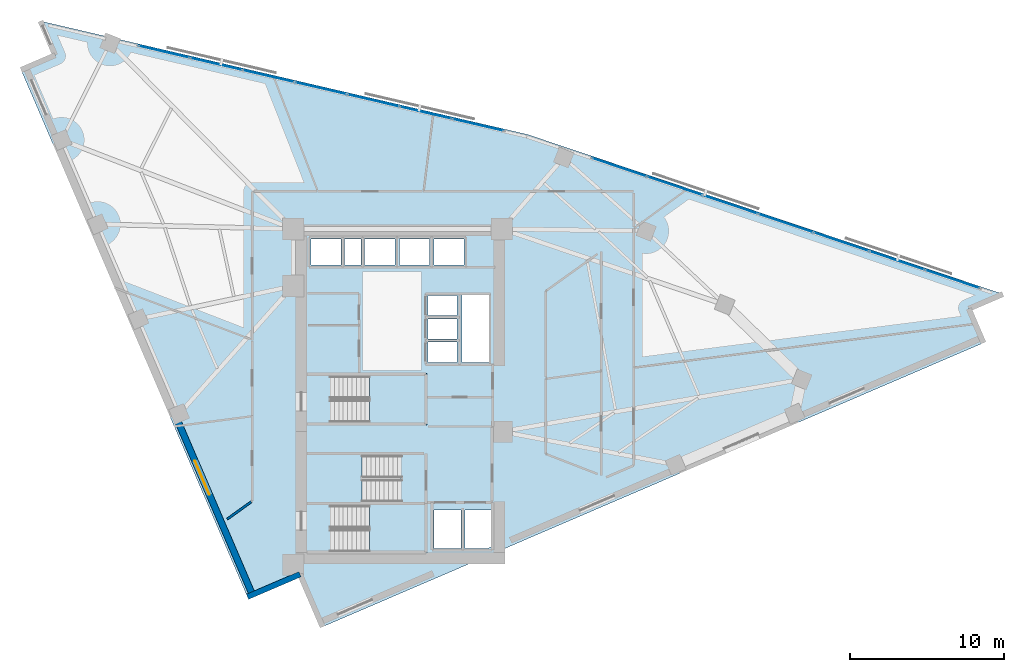
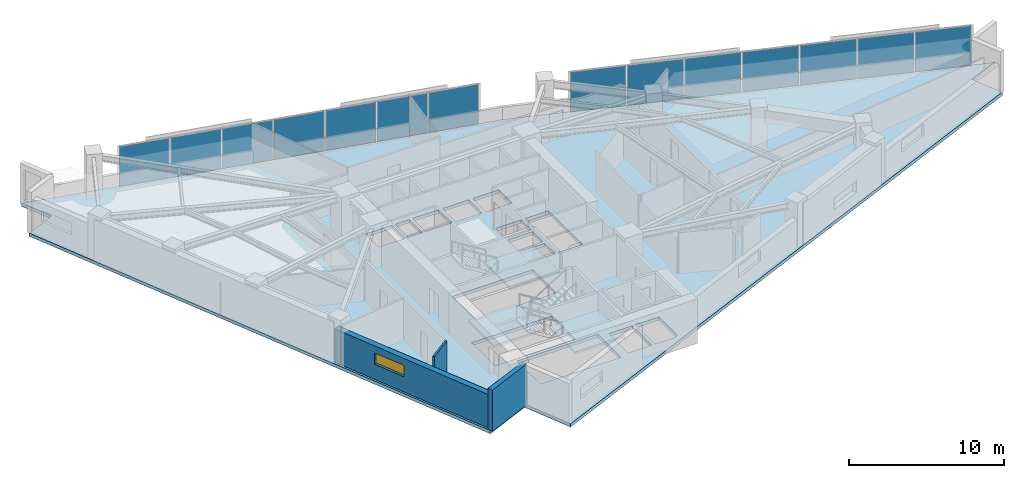
# One storey, part 8 of 14: 14 plates, 4 slabs, 3 walls, 1 window, 1 opening, 5 elements without a shape of their own.
"""IFC4 building model written with IfcOpenShell, lengths in metres."""

from ifc_helpers import new_model, si_unit, direction, frame, frame_2d, origin, origin_2d, place, context, subcontext, project, spatial, polyline, rectangle, outline, extrude, material, layer, layer_set, type_object, element, fill, aggregate, save


model = new_model("IFC4")

# Units and contexts
model_context = context("Model", 3, precision=1e-05, world=origin(), true_north=direction((0.0, 1.0)))
body_context = subcontext(model_context, "Body", "Model", "MODEL_VIEW")
ifc_project = project(units=[si_unit("LENGTHUNIT", "METRE"), si_unit("AREAUNIT", "SQUARE_METRE"), si_unit("VOLUMEUNIT", "CUBIC_METRE"), si_unit("PLANEANGLEUNIT", "RADIAN"), si_unit("MASSUNIT", "GRAM", prefix="KILO")], contexts=[model_context])

# Site, building, storey
site_placement = place(None, origin())
site = spatial("IfcSite", under=ifc_project, at=site_placement, CompositionType="ELEMENT")
building_placement = place(site_placement, origin())
building = spatial("IfcBuilding", under=site, at=building_placement, Name="Narakoshi Arena Tower", CompositionType="ELEMENT")
storey_placement = place(building_placement, frame((0.0, 0.0, 189.659912109375)))
storey = spatial("IfcBuildingStorey", under=building, at=storey_placement, Name="L51", CompositionType="ELEMENT", Elevation=189.659912109375)

# Curtain wall, plates
ifc_material_1 = material(Name="Anodised bronze aluminium 6063-T6", Category="aluminium")
curtain_wall_type = type_object("IfcCurtainWallType", Name="CW-HYP-MID", PredefinedType="NOTDEFINED", material=ifc_material_1)
curtain_wall_1_placement = place(storey_placement, origin())
curtain_wall_1 = element("IfcCurtainWall", 1, at=curtain_wall_1_placement, inside=storey, type_object=curtain_wall_type, Name="L51 Folded Hypotenuse Curtain Wall 1-1", PredefinedType="NOTDEFINED")
ifc_material_2 = material(Name="Bronze-tinted low-E laminated glass", Category="glass")
ifc_layer_1 = layer(ifc_material_2, 0.0380859375)
ifc_layer_set_1 = layer_set([ifc_layer_1], Name="Bronze-tinted low-E laminated glass")
plate_type = type_object("IfcPlateType", Name="PLT-GLZ-38", PredefinedType="CURTAIN_PANEL", material=ifc_layer_set_1)
plate_1_placement = place(storey_placement, frame((114.78466796875, 53.2509765625, 0.065185546875), z_axis=(0.0, 0.0, 1.0), x_axis=(-0.948003144077, 0.318260960253, 0.0)))
plate_1 = element("IfcPlate", 2, at=plate_1_placement, type_object=plate_type, Name="CW-02 panel 1.1", PredefinedType="CURTAIN_PANEL", context=body_context, shape_type="SweptSolid", body=[
    extrude(rectangle(XDim=3.69287109375, YDim=0.0380859375, at=origin_2d()), origin(), (0.0, 0.0, 1.0), 3.1298828125),
])
plate_2_placement = place(storey_placement, frame((111.19482421875, 54.4560546875, 0.065185546875), z_axis=(0.0, 0.0, 1.0), x_axis=(-0.948003144077, 0.318260960253, 0.0)))
plate_2 = element("IfcPlate", 3, at=plate_2_placement, type_object=plate_type, Name="CW-02 panel 2.1", PredefinedType="CURTAIN_PANEL", context=body_context, shape_type="SweptSolid", body=[
    extrude(rectangle(XDim=3.73046875, YDim=0.0380859375, at=origin_2d()), origin(), (0.0, 0.0, 1.0), 3.1298828125),
])
plate_3_placement = place(storey_placement, frame((107.58740234375, 55.667236328125, 0.065185546875), z_axis=(0.0, 0.0, 1.0), x_axis=(-0.948003144077, 0.318260960253, 0.0)))
plate_3 = element("IfcPlate", 4, at=plate_3_placement, type_object=plate_type, Name="CW-02 panel 3.1", PredefinedType="CURTAIN_PANEL", context=body_context, shape_type="SweptSolid", body=[
    extrude(rectangle(XDim=3.73046875, YDim=0.0380859375, at=origin_2d()), origin(), (0.0, 0.0, 1.0), 3.1298828125),
])
plate_4_placement = place(storey_placement, frame((103.979736328125, 56.87841796875, 0.065185546875), z_axis=(0.0, 0.0, 1.0), x_axis=(-0.948003144077, 0.318260960253, 0.0)))
plate_4 = element("IfcPlate", 5, at=plate_4_placement, type_object=plate_type, Name="CW-02 panel 4.1", PredefinedType="CURTAIN_PANEL", context=body_context, shape_type="SweptSolid", body=[
    extrude(rectangle(XDim=3.73046875, YDim=0.0380859375, at=origin_2d()), origin(), (0.0, 0.0, 1.0), 3.1298828125),
])
plate_5_placement = place(storey_placement, frame((100.3720703125, 58.089599609375, 0.065185546875), z_axis=(0.0, 0.0, 1.0), x_axis=(-0.948003144077, 0.318260960253, 0.0)))
plate_5 = element("IfcPlate", 6, at=plate_5_placement, type_object=plate_type, Name="CW-02 panel 5.1", PredefinedType="CURTAIN_PANEL", context=body_context, shape_type="SweptSolid", body=[
    extrude(rectangle(XDim=3.73046875, YDim=0.0380859375, at=origin_2d()), origin(), (0.0, 0.0, 1.0), 3.1298828125),
])
plate_6_placement = place(storey_placement, frame((96.7646484375, 59.300537109375, 0.065185546875), z_axis=(0.0, 0.0, 1.0), x_axis=(-0.948003144077, 0.318260960253, 0.0)))
plate_6 = element("IfcPlate", 7, at=plate_6_placement, type_object=plate_type, Name="CW-02 panel 6.1", PredefinedType="CURTAIN_PANEL", context=body_context, shape_type="SweptSolid", body=[
    extrude(rectangle(XDim=3.73046875, YDim=0.0380859375, at=origin_2d()), origin(), (0.0, 0.0, 1.0), 3.1298828125),
])
plate_7_placement = place(storey_placement, frame((93.1748046875, 60.505859375, 0.065185546875), z_axis=(0.0, 0.0, 1.0), x_axis=(-0.948003144077, 0.318260960253, 0.0)))
plate_7 = element("IfcPlate", 8, at=plate_7_placement, type_object=plate_type, Name="CW-02 panel 7.1", PredefinedType="CURTAIN_PANEL", context=body_context, shape_type="SweptSolid", body=[
    extrude(rectangle(XDim=3.69287109375, YDim=0.0380859375, at=origin_2d()), origin(), (0.0, 0.0, 1.0), 3.1298828125),
])
aggregate(curtain_wall_1, [plate_1, plate_2, plate_3, plate_4, plate_5, plate_6, plate_7])

curtain_wall_2_placement = place(storey_placement, origin())
curtain_wall_2 = element("IfcCurtainWall", 9, at=curtain_wall_2_placement, inside=storey, type_object=curtain_wall_type, Name="L51 Folded Hypotenuse Curtain Wall 2-1", PredefinedType="NOTDEFINED")
plate_8_placement = place(storey_placement, frame((83.994384765625, 63.260986328125, 0.065185546875), z_axis=(0.0, 0.0, 1.0), x_axis=(-0.973959704148, 0.226721182724, 0.0)))
plate_8 = element("IfcPlate", 10, at=plate_8_placement, type_object=plate_type, Name="CW-02 panel 1.1", PredefinedType="CURTAIN_PANEL", context=body_context, shape_type="SweptSolid", body=[
    extrude(rectangle(XDim=3.37939453125, YDim=0.0380859375, at=origin_2d()), origin(), (0.0, 0.0, 1.0), 3.1298828125),
])
plate_9_placement = place(storey_placement, frame((80.61181640625, 64.048583984375, 0.065185546875), z_axis=(0.0, 0.0, 1.0), x_axis=(-0.973959704148, 0.226721182724, 0.0)))
plate_9 = element("IfcPlate", 11, at=plate_9_placement, type_object=plate_type, Name="CW-02 panel 2.1", PredefinedType="CURTAIN_PANEL", context=body_context, shape_type="SweptSolid", body=[
    extrude(rectangle(XDim=3.416748046875, YDim=0.0380859375, at=origin_2d()), origin(), (0.0, 0.0, 1.0), 3.1298828125),
])
plate_10_placement = place(storey_placement, frame((77.2109375, 64.840087890625, 0.065185546875), z_axis=(0.0, 0.0, 1.0), x_axis=(-0.973959704148, 0.226721182724, 0.0)))
plate_10 = element("IfcPlate", 12, at=plate_10_placement, type_object=plate_type, Name="CW-02 panel 3.1", PredefinedType="CURTAIN_PANEL", context=body_context, shape_type="SweptSolid", body=[
    extrude(rectangle(XDim=3.416748046875, YDim=0.0380859375, at=origin_2d()), origin(), (0.0, 0.0, 1.0), 3.1298828125),
])
plate_11_placement = place(storey_placement, frame((73.81005859375, 65.6318359375, 0.065185546875), z_axis=(0.0, 0.0, 1.0), x_axis=(-0.973959704148, 0.226721182724, 0.0)))
plate_11 = element("IfcPlate", 13, at=plate_11_placement, type_object=plate_type, Name="CW-02 panel 4.1", PredefinedType="CURTAIN_PANEL", context=body_context, shape_type="SweptSolid", body=[
    extrude(rectangle(XDim=3.416748046875, YDim=0.0380859375, at=origin_2d()), origin(), (0.0, 0.0, 1.0), 3.1298828125),
])
plate_12_placement = place(storey_placement, frame((70.4091796875, 66.423583984375, 0.065185546875), z_axis=(0.0, 0.0, 1.0), x_axis=(-0.973959704148, 0.226721182724, 0.0)))
plate_12 = element("IfcPlate", 14, at=plate_12_placement, type_object=plate_type, Name="CW-02 panel 5.1", PredefinedType="CURTAIN_PANEL", context=body_context, shape_type="SweptSolid", body=[
    extrude(rectangle(XDim=3.416748046875, YDim=0.0380859375, at=origin_2d()), origin(), (0.0, 0.0, 1.0), 3.1298828125),
])
plate_13_placement = place(storey_placement, frame((67.00830078125, 67.215087890625, 0.065185546875), z_axis=(0.0, 0.0, 1.0), x_axis=(-0.973959704148, 0.226721182724, 0.0)))
plate_13 = element("IfcPlate", 15, at=plate_13_placement, type_object=plate_type, Name="CW-02 panel 6.1", PredefinedType="CURTAIN_PANEL", context=body_context, shape_type="SweptSolid", body=[
    extrude(rectangle(XDim=3.416748046875, YDim=0.0380859375, at=origin_2d()), origin(), (0.0, 0.0, 1.0), 3.1298828125),
])
plate_14_placement = place(storey_placement, frame((63.625732421875, 68.002685546875, 0.065185546875), z_axis=(0.0, 0.0, 1.0), x_axis=(-0.973959704148, 0.226721182724, 0.0)))
plate_14 = element("IfcPlate", 16, at=plate_14_placement, type_object=plate_type, Name="CW-02 panel 7.1", PredefinedType="CURTAIN_PANEL", context=body_context, shape_type="SweptSolid", body=[
    extrude(rectangle(XDim=3.37939453125, YDim=0.0380859375, at=origin_2d()), origin(), (0.0, 0.0, 1.0), 3.1298828125),
])
aggregate(curtain_wall_2, [plate_8, plate_9, plate_10, plate_11, plate_12, plate_13, plate_14])

# Stair, slab
ifc_material_3 = material(Name="Concrete C45/55", Category="concrete")
stair_type = type_object("IfcStairType", Name="STR-CORE-352", PredefinedType="TWO_STRAIGHT_RUN_STAIR", material=ifc_material_3)
stair_1_placement = place(storey_placement, origin())
stair_1 = element("IfcStair", 17, at=stair_1_placement, inside=storey, type_object=stair_type, Name="L51 Core Escape Stair ST1", PredefinedType="TWO_STRAIGHT_RUN_STAIR")
ifc_layer_2 = layer(ifc_material_3, 0.18994140625)
ifc_layer_set_2 = layer_set([ifc_layer_2], Name="Concrete C45/55")
slab_type_1 = type_object("IfcSlabType", Name="SLB-LND-190", PredefinedType="LANDING", material=ifc_layer_set_2)
slab_1_placement = place(storey_placement, frame((0.0, 0.0, 1.570068359375)))
slab_1 = element("IfcSlab", 18, at=slab_1_placement, type_object=slab_type_1, Name="ST1 landing 1", PredefinedType="LANDING", context=body_context, shape_type="SweptSolid", body=[
    extrude(outline(polyline([(76.965087890625, 35.3701171875), (80.679931640625, 35.3701171875), (80.679931640625, 38.72998046875), (76.965087890625, 38.72998046875), (76.965087890625, 35.3701171875)])), origin(), (0.0, 0.0, 1.0), 0.18994140625),
])
aggregate(stair_1, [slab_1])

stair_2_placement = place(storey_placement, origin())
stair_2 = element("IfcStair", 19, at=stair_2_placement, inside=storey, type_object=stair_type, Name="L51 Core Escape Stair ST2", PredefinedType="TWO_STRAIGHT_RUN_STAIR")
slab_2_placement = place(storey_placement, frame((0.0, 0.0, 1.570068359375)))
slab_2 = element("IfcSlab", 20, at=slab_2_placement, type_object=slab_type_1, Name="ST2 landing 1", PredefinedType="LANDING", context=body_context, shape_type="SweptSolid", body=[
    extrude(outline(polyline([(72.77001953125, 38.6201171875), (76.485107421875, 38.6201171875), (76.485107421875, 41.97998046875), (72.77001953125, 41.97998046875), (72.77001953125, 38.6201171875)])), origin(), (0.0, 0.0, 1.0), 0.18994140625),
])
aggregate(stair_2, [slab_2])

stair_3_placement = place(storey_placement, origin())
stair_3 = element("IfcStair", 21, at=stair_3_placement, inside=storey, type_object=stair_type, Name="L51 Core Escape Stair ST3", PredefinedType="TWO_STRAIGHT_RUN_STAIR")
slab_3_placement = place(storey_placement, frame((0.0, 0.0, 1.570068359375)))
slab_3 = element("IfcSlab", 22, at=slab_3_placement, type_object=slab_type_1, Name="ST3 landing 1", PredefinedType="LANDING", context=body_context, shape_type="SweptSolid", body=[
    extrude(outline(polyline([(76.965087890625, 43.77001953125), (80.679931640625, 43.77001953125), (80.679931640625, 47.1298828125), (76.965087890625, 47.1298828125), (76.965087890625, 43.77001953125)])), origin(), (0.0, 0.0, 1.0), 0.18994140625),
])
aggregate(stair_3, [slab_3])

# Slab
ifc_material_4 = material(Name="Concrete C50/60", Category="concrete")
ifc_layer_3 = layer(ifc_material_4, 0.260009765625)
ifc_layer_set_3 = layer_set([ifc_layer_3], Name="Concrete C50/60")
slab_type_2 = type_object("IfcSlabType", Name="SLB-SKY-260", PredefinedType="FLOOR", material=ifc_layer_set_3)
slab_4_placement = place(storey_placement, frame((0.0, 0.0, -0.260009765625)))
element("IfcSlab", 23, at=slab_4_placement, inside=storey, type_object=slab_type_2, Name="L51 Structural Floor Slab", PredefinedType="FLOOR", context=body_context, shape_type="SweptSolid", body=[
    extrude(outline(polyline([(73.9169921875, 30.68115234375), (116.8017578125, 49.105712890625), (115.84912109375, 51.3232421875), (118.06640625, 52.27587890625), (87.201416015625, 62.6376953125), (55.614013671875, 69.99072265625), (56.56640625, 67.7734375), (54.34912109375, 66.82080078125), (69.0400390625, 32.626708984375), (72.451416015625, 34.09228515625), (73.9169921875, 30.68115234375)]), holes=[polyline([(80.5, 35.550048828125), (74.47998046875, 35.550048828125), (74.47998046875, 38.550048828125), (80.5, 38.550048828125), (80.5, 35.550048828125)]), polyline([(82.89990234375, 35.75), (81.14990234375, 35.75), (81.14990234375, 38.25), (82.89990234375, 38.25), (82.89990234375, 35.75)]), polyline([(84.5751953125, 35.75), (83.14990234375, 35.75), (83.14990234375, 38.25), (84.89990234375, 38.25), (84.89990234375, 35.889404296875), (84.5751953125, 35.75)]), polyline([(72.949951171875, 38.800048828125), (72.949951171875, 41.800048828125), (78.969970703125, 41.800048828125), (78.969970703125, 38.800048828125), (72.949951171875, 38.800048828125)]), polyline([(74.47998046875, 43.949951171875), (74.47998046875, 46.949951171875), (80.5, 46.949951171875), (80.5, 43.949951171875), (74.47998046875, 43.949951171875)]), polyline([(82.949951171875, 47.840087890625), (82.949951171875, 52.199951171875), (84.699951171875, 52.199951171875), (84.699951171875, 47.840087890625), (82.949951171875, 47.840087890625)]), polyline([(80.75, 47.85009765625), (80.75, 49.14990234375), (82.64990234375, 49.14990234375), (82.64990234375, 47.85009765625), (80.75, 47.85009765625)]), polyline([(80.75, 49.3701171875), (80.75, 50.669921875), (82.64990234375, 50.669921875), (82.64990234375, 49.3701171875), (80.75, 49.3701171875)]), polyline([(80.75, 50.889892578125), (80.75, 52.18994140625), (82.64990234375, 52.18994140625), (82.64990234375, 50.889892578125), (80.75, 50.889892578125)]), polyline([(73.14990234375, 54.14990234375), (73.14990234375, 55.85009765625), (75.10009765625, 55.85009765625), (75.10009765625, 54.14990234375), (73.14990234375, 54.14990234375)]), polyline([(75.35009765625, 54.14990234375), (75.35009765625, 55.85009765625), (76.39990234375, 55.85009765625), (76.39990234375, 54.14990234375), (75.35009765625, 54.14990234375)]), polyline([(76.64990234375, 54.14990234375), (76.64990234375, 55.85009765625), (78.60009765625, 55.85009765625), (78.60009765625, 54.14990234375), (76.64990234375, 54.14990234375)]), polyline([(78.89990234375, 54.14990234375), (78.89990234375, 55.85009765625), (80.85009765625, 55.85009765625), (80.85009765625, 54.14990234375), (78.89990234375, 54.14990234375)]), polyline([(81.14990234375, 54.14990234375), (81.14990234375, 55.85009765625), (83.10009765625, 55.85009765625), (83.10009765625, 54.14990234375), (81.14990234375, 54.14990234375)])]), origin(), (0.0, 0.0, 1.0), 0.260009765625),
])

# Wall, opening, window
ifc_material_5 = material(Name="Precast concrete C45/55", Category="concrete")
ifc_layer_4 = layer(ifc_material_5, 0.419921875)
ifc_layer_set_4 = layer_set([ifc_layer_4], Name="Precast concrete C45/55")
wall_type_1 = type_object("IfcWallType", Name="WL-POD-420", PredefinedType="SOLIDWALL", material=ifc_layer_set_4)
wall_1_placement = place(storey_placement, frame((64.36669921875, 44.390869140625, 0.0), z_axis=(0.0, 0.0, 1.0), x_axis=(0.394757430431, -0.918785378159, 0.0)))
wall_1 = element("IfcWall", 24, at=wall_1_placement, inside=storey, type_object=wall_type_1, Name="L51 Architectural Concrete Facade Wall LEGB-3", PredefinedType="SOLIDWALL", context=body_context, shape_type="SweptSolid", body=[
    extrude(rectangle(XDim=12.653564453125, YDim=0.419921875, at=frame_2d((6.32666015625, 0.0))), origin(), (0.0, 0.0, 1.0), 2.64501953125),
])
opening_placement = place(wall_1_placement, frame((3.193115234375, 0.0, 1.199951171875)))
opening = element("IfcOpeningElement", 25, at=opening_placement, cuts=wall_1, Name="Opening WN-01", PredefinedType="OPENING", context=body_context, shape_type="SweptSolid", body=[
    extrude(rectangle(XDim=2.39990234375, YDim=0.89990234375, at=frame_2d((1.199951171875, 0.449951171875))), frame((0.0, 0.219970703125, 0.0), z_axis=(0.0, -1.0, 0.0), x_axis=(1.0, 0.0, 0.0)), (0.0, 0.0, 1.0), 0.43994140625),
])
window_type = type_object("IfcWindowType", Name="WIN-SLT-24x09", PartitioningType="SINGLE_PANEL", PredefinedType="WINDOW", material=ifc_material_2)
window_placement = place(opening_placement, origin())
window = element("IfcWindow", 26, at=window_placement, inside=storey, type_object=window_type, Name="L51 LEGB3 Horizontal Slot Window 1", OverallHeight=0.89990234375, OverallWidth=2.39990234375, PartitioningType="SINGLE_PANEL", PredefinedType="WINDOW", context=body_context, shape_type="SweptSolid", body=[
    extrude(rectangle(XDim=2.39990234375, YDim=0.89990234375, at=frame_2d((1.199951171875, 0.449951171875))), frame((0.0, 0.030029296875, 0.0), z_axis=(0.0, -1.0, 0.0), x_axis=(1.0, 0.0, 0.0)), (0.0, 0.0, 1.0), 0.06005859375),
])
fill(opening, window)

# Walls
wall_2_placement = place(storey_placement, frame((69.0400390625, 32.626708984375, 0.0), z_axis=(0.0, 0.0, 1.0), x_axis=(0.91879775808, 0.394728615312, 0.0)))
element("IfcWall", 27, at=wall_2_placement, inside=storey, type_object=wall_type_1, Name="L51 Re-Entrant Corner Notch Wall NTA-1", PredefinedType="SOLIDWALL", context=body_context, shape_type="SweptSolid", body=[
    extrude(rectangle(XDim=3.712890625, YDim=0.360107421875, at=frame_2d((1.8564453125, 0.0))), origin(), (0.0, 0.0, 1.0), 3.260009765625),
])
ifc_material_6 = material(Name="Moisture-resistant cement-board partition")
ifc_layer_5 = layer(ifc_material_6, 0.14501953125)
ifc_layer_set_5 = layer_set([ifc_layer_5], Name="Moisture-resistant cement-board partition")
wall_type_2 = type_object("IfcWallType", Name="WL-WET-145", PredefinedType="PARTITIONING", material=ifc_layer_set_5)
wall_3_placement = place(storey_placement, frame((69.293701171875, 38.79638671875, 0.0), z_axis=(0.0, 0.0, 1.0), x_axis=(-0.812562952802, -0.58287344058, 0.0)))
element("IfcWall", 28, at=wall_3_placement, inside=storey, type_object=wall_type_2, Name="L51 Room Enclosure Partition 01-1", PredefinedType="PARTITIONING", context=body_context, shape_type="SweptSolid", body=[
    extrude(rectangle(XDim=1.933349609375, YDim=0.14501953125, at=frame_2d((0.966796875, 0.0))), origin(), (0.0, 0.0, 1.0), 3.260009765625),
])

save(model, "model.ifc")
